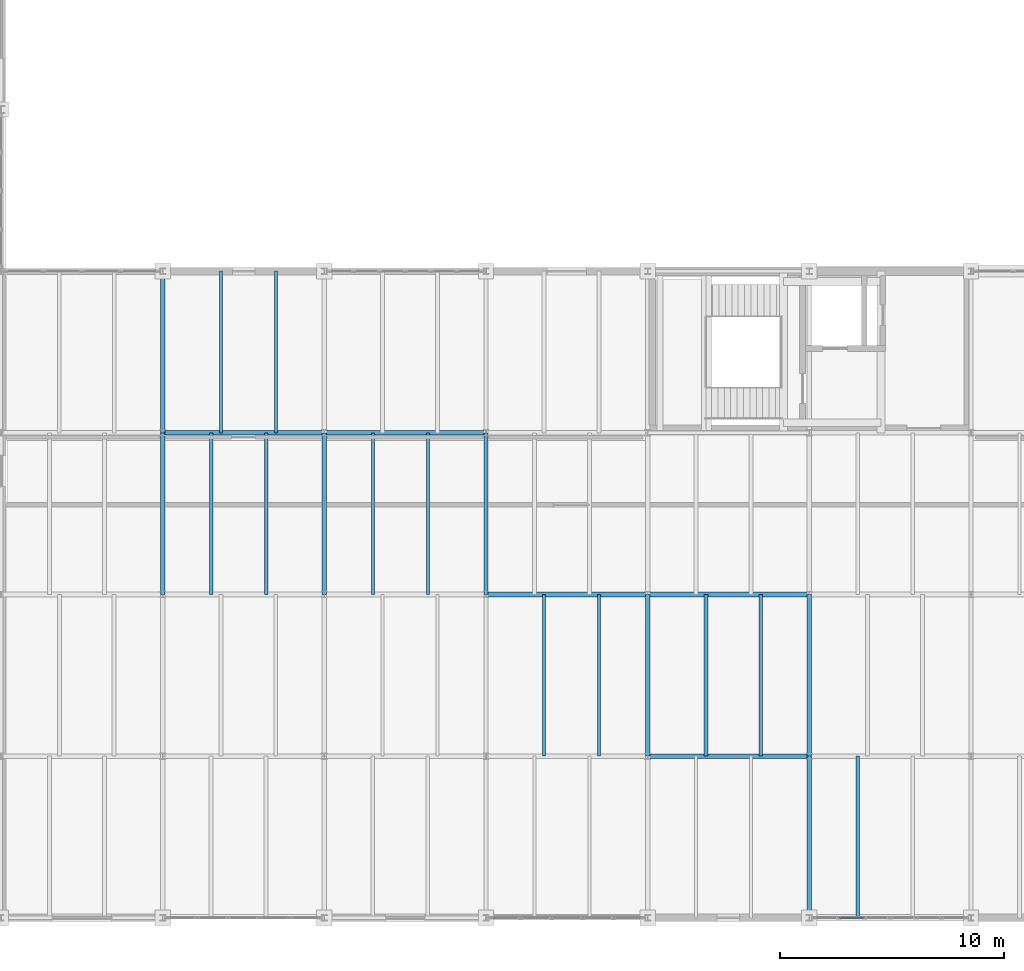
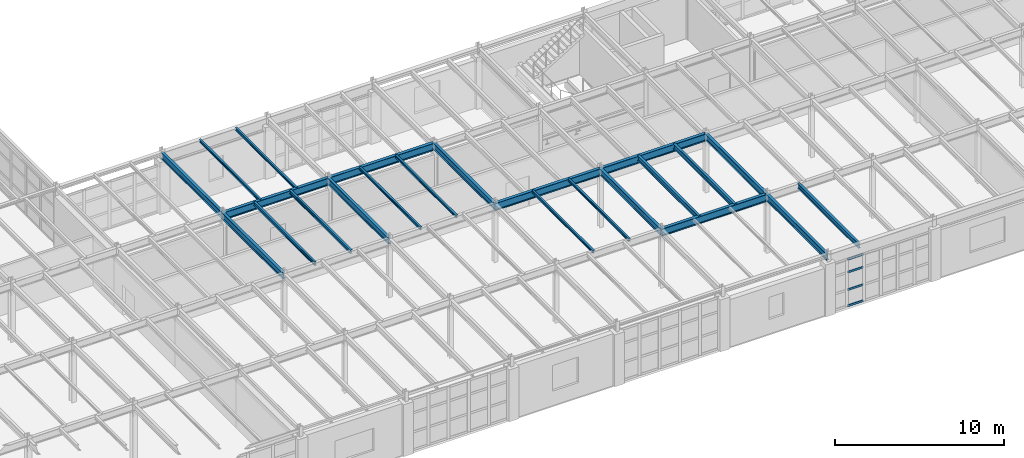
# One storey, part 43 of 137: 23 beams, 4 members, 1 element without a shape of its own.
"""IFC4 building model written with IfcOpenShell, lengths in metres."""

from ifc_helpers import new_model, si_unit, direction, frame, origin, origin_2d, place, context, subcontext, project, spatial, hollow_rectangle, i_section, extrude, material, layer, layer_set, material_profile, profile_set, type_object, element, aggregate, save


model = new_model("IFC4")

# Units and contexts
model_context = context("Model", 3, precision=1e-05, world=origin(), true_north=direction((0.0, 1.0)))
body_context = subcontext(model_context, "Body", "Model", "MODEL_VIEW")
ifc_project = project(units=[si_unit("LENGTHUNIT", "METRE"), si_unit("AREAUNIT", "SQUARE_METRE"), si_unit("VOLUMEUNIT", "CUBIC_METRE"), si_unit("PLANEANGLEUNIT", "RADIAN"), si_unit("MASSUNIT", "GRAM", prefix="KILO")], contexts=[model_context])

# Site, building, storey
site_placement = place(None, origin())
site = spatial("IfcSite", under=ifc_project, at=site_placement, CompositionType="ELEMENT")
building_placement = place(site_placement, origin())
building = spatial("IfcBuilding", under=site, at=building_placement, Name="Kemerveld Promenade Tramway Depot", CompositionType="ELEMENT")
storey_placement = place(building_placement, frame((0.0, 0.0, 5.39990234375)))
storey = spatial("IfcBuildingStorey", under=building, at=storey_placement, Name="L01", CompositionType="ELEMENT", Elevation=5.39990234375)

# Beams
ifc_material_1 = material(Name="Steel S355", Category="steel")
ifc_material_profile_1 = material_profile(ifc_material_1, i_section(OverallWidth=0.2099609375, OverallDepth=0.53662109375, WebThickness=0.0107421875, FlangeThickness=0.017333984375, FilletRadius=0.0126953125, at=origin_2d()), Name="533x210x101 UB")
ifc_profile_set_1 = profile_set([ifc_material_profile_1], Name="Steel S355")
beam_type_1 = type_object("IfcBeamType", Name="BM-G05", PredefinedType="BEAM", material=ifc_profile_set_1)
beam_1_placement = place(storey_placement, frame((86.39990234375, 7.199951171875, 3.981689453125), z_axis=(1.0, 0.0, 0.0), x_axis=(0.0, 1.0, 0.0)))
element("IfcBeam", 1, at=beam_1_placement, inside=storey, type_object=beam_type_1, Name="BMX-L01-13-14-B", PredefinedType="BEAM", context=body_context, shape_type="SweptSolid", body=[
    extrude(i_section(OverallWidth=0.2099609375, OverallDepth=0.53662109375, WebThickness=0.0107421875, FlangeThickness=0.017333984375, FilletRadius=0.0126953125, at=origin_2d()), origin(), (0.0, 0.0, 1.0), 7.2001953125),
])
beam_2_placement = place(storey_placement, frame((79.199951171875, 14.39990234375, 3.981689453125), z_axis=(1.0, 0.0, 0.0), x_axis=(0.0, 1.0, 0.0)))
element("IfcBeam", 2, at=beam_2_placement, inside=storey, type_object=beam_type_1, Name="BMX-L01-12-13-C", PredefinedType="BEAM", context=body_context, shape_type="SweptSolid", body=[
    extrude(i_section(OverallWidth=0.2099609375, OverallDepth=0.53662109375, WebThickness=0.0107421875, FlangeThickness=0.017333984375, FilletRadius=0.0126953125, at=origin_2d()), origin(), (0.0, 0.0, 1.0), 7.199951171875),
])
beam_3_placement = place(storey_placement, frame((86.39990234375, 14.39990234375, 3.981689453125), z_axis=(1.0, 0.0, 0.0), x_axis=(0.0, 1.0, 0.0)))
element("IfcBeam", 3, at=beam_3_placement, inside=storey, type_object=beam_type_1, Name="BMX-L01-13-14-C", PredefinedType="BEAM", context=body_context, shape_type="SweptSolid", body=[
    extrude(i_section(OverallWidth=0.2099609375, OverallDepth=0.53662109375, WebThickness=0.0107421875, FlangeThickness=0.017333984375, FilletRadius=0.0126953125, at=origin_2d()), origin(), (0.0, 0.0, 1.0), 7.2001953125),
])
for number, where, z_axis, x_axis, name in (
    (4, (64.800048828125, 21.60009765625, 3.981689453125), (1.0, 0.0, 0.0), (0.0, 1.0, 0.0), "BMX-L01-10-11-D"),
    (5, (72.0, 21.60009765625, 3.981689453125), (1.0, 0.0, 0.0), (0.0, 1.0, 0.0), "BMX-L01-11-12-D"),
):
    element("IfcBeam", number, at=place(storey_placement, frame(where, z_axis=z_axis, x_axis=x_axis)), inside=storey, type_object=beam_type_1, Name=name, PredefinedType="BEAM", context=body_context, shape_type="SweptSolid", body=[
        extrude(i_section(OverallWidth=0.2099609375, OverallDepth=0.53662109375, WebThickness=0.0107421875, FlangeThickness=0.017333984375, FilletRadius=0.0126953125, at=origin_2d()), origin(), (0.0, 0.0, 1.0), 7.199951171875),
    ])
ifc_material_profile_2 = material_profile(ifc_material_1, i_section(OverallWidth=0.19140625, OverallDepth=0.4599609375, WebThickness=0.010009765625, FlangeThickness=0.01611328125, FilletRadius=0.01025390625, at=origin_2d()), Name="457x191x82 UB")
ifc_profile_set_2 = profile_set([ifc_material_profile_2], Name="Steel S355")
beam_type_2 = type_object("IfcBeamType", Name="BM-G06", PredefinedType="BEAM", material=ifc_profile_set_2)
beam_4_placement = place(storey_placement, frame((64.800048828125, 14.39990234375, 4.02001953125), z_axis=(0.0, 1.0, 0.0), x_axis=(-1.0, 0.0, 0.0)))
element("IfcBeam", 6, at=beam_4_placement, inside=storey, type_object=beam_type_2, Name="BMY-L01-10-C-D", PredefinedType="BEAM", context=body_context, shape_type="SweptSolid", body=[
    extrude(i_section(OverallWidth=0.19140625, OverallDepth=0.4599609375, WebThickness=0.010009765625, FlangeThickness=0.01611328125, FilletRadius=0.01025390625, at=origin_2d()), origin(), (0.0, 0.0, 1.0), 7.2001953125),
])
beam_5_placement = place(storey_placement, frame((64.800048828125, 21.60009765625, 4.02001953125), z_axis=(0.0, 1.0, 0.0), x_axis=(-1.0, 0.0, 0.0)))
element("IfcBeam", 7, at=beam_5_placement, inside=storey, type_object=beam_type_2, Name="BMY-L01-10-D-E", PredefinedType="BEAM", context=body_context, shape_type="SweptSolid", body=[
    extrude(i_section(OverallWidth=0.19140625, OverallDepth=0.4599609375, WebThickness=0.010009765625, FlangeThickness=0.01611328125, FilletRadius=0.01025390625, at=origin_2d()), origin(), (0.0, 0.0, 1.0), 7.199951171875),
])
for number, where, z_axis, x_axis, name in (
    (8, (72.0, 14.39990234375, 4.02001953125), (0.0, 1.0, 0.0), (-1.0, 0.0, 0.0), "BMY-L01-11-C-D"),
    (9, (79.199951171875, 14.39990234375, 4.02001953125), (0.0, 1.0, 0.0), (-1.0, 0.0, 0.0), "BMY-L01-12-C-D"),
):
    element("IfcBeam", number, at=place(storey_placement, frame(where, z_axis=z_axis, x_axis=x_axis)), inside=storey, type_object=beam_type_2, Name=name, PredefinedType="BEAM", context=body_context, shape_type="SweptSolid", body=[
        extrude(i_section(OverallWidth=0.19140625, OverallDepth=0.4599609375, WebThickness=0.010009765625, FlangeThickness=0.01611328125, FilletRadius=0.01025390625, at=origin_2d()), origin(), (0.0, 0.0, 1.0), 7.2001953125),
    ])
for number, where, z_axis, x_axis, name in (
    (10, (86.39990234375, 7.199951171875, 4.02001953125), (0.0, 1.0, 0.0), (-1.0, 0.0, 0.0), "BMY-L01-13-B-C"),
    (11, (93.60009765625, 0.0, 4.02001953125), (0.0, 1.0, 0.0), (-1.0, 0.0, 0.0), "BMY-L01-14-A-B"),
    (12, (93.60009765625, 7.199951171875, 4.02001953125), (0.0, 1.0, 0.0), (-1.0, 0.0, 0.0), "BMY-L01-14-B-C"),
):
    element("IfcBeam", number, at=place(storey_placement, frame(where, z_axis=z_axis, x_axis=x_axis)), inside=storey, type_object=beam_type_2, Name=name, PredefinedType="BEAM", context=body_context, shape_type="SweptSolid", body=[
        extrude(i_section(OverallWidth=0.19140625, OverallDepth=0.4599609375, WebThickness=0.010009765625, FlangeThickness=0.01611328125, FilletRadius=0.01025390625, at=origin_2d()), origin(), (0.0, 0.0, 1.0), 7.199951171875),
    ])
ifc_material_profile_3 = material_profile(ifc_material_1, i_section(OverallWidth=0.146484375, OverallDepth=0.256103515625, WebThickness=0.00634765625, FlangeThickness=0.010986328125, FilletRadius=0.007568359375, at=origin_2d()), Name="254x146x37 UB")
ifc_profile_set_3 = profile_set([ifc_material_profile_3], Name="Steel S355")
beam_type_3 = type_object("IfcBeamType", Name="BM-J02", PredefinedType="JOIST", material=ifc_profile_set_3)
for number, where, z_axis, x_axis, name in (
    (13, (66.9599609375, 14.39990234375, 4.1220703125), (0.0, 1.0, 0.0), (-1.0, 0.0, 0.0), "JST-L01-10-C-1"),
    (14, (69.407958984375, 14.39990234375, 4.1220703125), (0.0, 1.0, 0.0), (-1.0, 0.0, 0.0), "JST-L01-10-C-2"),
):
    element("IfcBeam", number, at=place(storey_placement, frame(where, z_axis=z_axis, x_axis=x_axis)), inside=storey, type_object=beam_type_3, Name=name, PredefinedType="JOIST", context=body_context, shape_type="SweptSolid", body=[
        extrude(i_section(OverallWidth=0.146484375, OverallDepth=0.256103515625, WebThickness=0.00634765625, FlangeThickness=0.010986328125, FilletRadius=0.007568359375, at=origin_2d()), origin(), (0.0, 0.0, 1.0), 7.2001953125),
    ])
ifc_material_profile_4 = material_profile(ifc_material_1, i_section(OverallWidth=0.13330078125, OverallDepth=0.203125, WebThickness=0.005615234375, FlangeThickness=0.0078125, FilletRadius=0.007568359375, at=origin_2d()), Name="203x133x25 UB")
ifc_profile_set_4 = profile_set([ifc_material_profile_4], Name="Steel S355")
beam_type_4 = type_object("IfcBeamType", Name="BM-J03", PredefinedType="JOIST", material=ifc_profile_set_4)
for number, where, z_axis, x_axis, name in (
    (15, (67.39208984375, 21.60009765625, 4.1484375), (0.0, 1.0, 0.0), (-1.0, 0.0, 0.0), "JST-L01-10-D-1"),
    (16, (69.840087890625, 21.60009765625, 4.1484375), (0.0, 1.0, 0.0), (-1.0, 0.0, 0.0), "JST-L01-10-D-2"),
):
    element("IfcBeam", number, at=place(storey_placement, frame(where, z_axis=z_axis, x_axis=x_axis)), inside=storey, type_object=beam_type_4, Name=name, PredefinedType="JOIST", context=body_context, shape_type="SweptSolid", body=[
        extrude(i_section(OverallWidth=0.13330078125, OverallDepth=0.203125, WebThickness=0.005615234375, FlangeThickness=0.0078125, FilletRadius=0.007568359375, at=origin_2d()), origin(), (0.0, 0.0, 1.0), 7.199951171875),
    ])
for number, where, z_axis, x_axis, name in (
    (17, (74.159912109375, 14.39990234375, 4.1484375), (0.0, 1.0, 0.0), (-1.0, 0.0, 0.0), "JST-L01-11-C-1"),
    (18, (76.60791015625, 14.39990234375, 4.1484375), (0.0, 1.0, 0.0), (-1.0, 0.0, 0.0), "JST-L01-11-C-2"),
):
    element("IfcBeam", number, at=place(storey_placement, frame(where, z_axis=z_axis, x_axis=x_axis)), inside=storey, type_object=beam_type_4, Name=name, PredefinedType="JOIST", context=body_context, shape_type="SweptSolid", body=[
        extrude(i_section(OverallWidth=0.13330078125, OverallDepth=0.203125, WebThickness=0.005615234375, FlangeThickness=0.0078125, FilletRadius=0.007568359375, at=origin_2d()), origin(), (0.0, 0.0, 1.0), 7.2001953125),
    ])
for number, where, z_axis, x_axis, name in (
    (19, (81.7919921875, 7.199951171875, 4.1484375), (0.0, 1.0, 0.0), (-1.0, 0.0, 0.0), "JST-L01-12-B-1"),
    (20, (84.239990234375, 7.199951171875, 4.1484375), (0.0, 1.0, 0.0), (-1.0, 0.0, 0.0), "JST-L01-12-B-2"),
):
    element("IfcBeam", number, at=place(storey_placement, frame(where, z_axis=z_axis, x_axis=x_axis)), inside=storey, type_object=beam_type_4, Name=name, PredefinedType="JOIST", context=body_context, shape_type="SweptSolid", body=[
        extrude(i_section(OverallWidth=0.13330078125, OverallDepth=0.203125, WebThickness=0.005615234375, FlangeThickness=0.0078125, FilletRadius=0.007568359375, at=origin_2d()), origin(), (0.0, 0.0, 1.0), 7.199951171875),
    ])
ifc_material_profile_5 = material_profile(ifc_material_1, i_section(OverallWidth=0.172119140625, OverallDepth=0.35791015625, WebThickness=0.008056640625, FlangeThickness=0.012939453125, FilletRadius=0.01025390625, at=origin_2d()), Name="356x171x57 UB")
ifc_profile_set_5 = profile_set([ifc_material_profile_5], Name="Steel S355")
beam_type_5 = type_object("IfcBeamType", Name="BM-J04", PredefinedType="JOIST", material=ifc_profile_set_5)
for number, where, z_axis, x_axis, name in (
    (21, (88.991943359375, 7.199951171875, 4.071044921875), (0.0, 1.0, 0.0), (-1.0, 0.0, 0.0), "JST-L01-13-B-1"),
    (22, (91.43994140625, 7.199951171875, 4.071044921875), (0.0, 1.0, 0.0), (-1.0, 0.0, 0.0), "JST-L01-13-B-2"),
    (23, (95.760009765625, 0.0, 4.071044921875), (0.0, 1.0, 0.0), (-1.0, 0.0, 0.0), "JST-L01-14-A-1"),
):
    element("IfcBeam", number, at=place(storey_placement, frame(where, z_axis=z_axis, x_axis=x_axis)), inside=storey, type_object=beam_type_5, Name=name, PredefinedType="JOIST", context=body_context, shape_type="SweptSolid", body=[
        extrude(i_section(OverallWidth=0.172119140625, OverallDepth=0.35791015625, WebThickness=0.008056640625, FlangeThickness=0.012939453125, FilletRadius=0.01025390625, at=origin_2d()), origin(), (0.0, 0.0, 1.0), 7.199951171875),
    ])

# Curtain wall, members
ifc_material_2 = material(Name="Bronze anodised aluminium and solar glass", Category="aluminium")
ifc_layer = layer(ifc_material_2, 0.199951171875)
ifc_layer_set = layer_set([ifc_layer], Name="CW-SYS-12")
curtain_wall_type = type_object("IfcCurtainWallType", Name="CW-SYS-12", PredefinedType="USERDEFINED", material=ifc_layer_set)
curtain_wall_placement = place(storey_placement, origin())
curtain_wall = element("IfcCurtainWall", 24, at=curtain_wall_placement, inside=storey, type_object=curtain_wall_type, Name="CW-L01-V4S-09", ObjectType="GLAZED_CURTAIN_WALL", PredefinedType="USERDEFINED")
ifc_material_3 = material(Name="Bronze anodised aluminium", Category="aluminium")
ifc_material_profile_6 = material_profile(ifc_material_3, hollow_rectangle(XDim=0.06494140625, YDim=0.14990234375, WallThickness=0.00439453125, InnerFilletRadius=0.001953125, OuterFilletRadius=0.00439453125, at=origin_2d()), Name="CW-TRN-150x65")
ifc_profile_set_6 = profile_set([ifc_material_profile_6], Name="Bronze anodised aluminium")
member_type = type_object("IfcMemberType", Name="CW-TRN-B", PredefinedType="USERDEFINED", material=ifc_profile_set_6)
member_1_placement = place(storey_placement, frame((96.012451171875, 0.0, 0.03271484375), z_axis=(-1.0, 0.0, 0.0), x_axis=(0.0, -1.0, 0.0)))
member_1 = element("IfcMember", 25, at=member_1_placement, type_object=member_type, Name="CW12 transom 5.1", ObjectType="TRANSOM", PredefinedType="USERDEFINED", context=body_context, shape_type="SweptSolid", body=[
    extrude(hollow_rectangle(XDim=0.06494140625, YDim=0.14990234375, WallThickness=0.00439453125, InnerFilletRadius=0.001953125, OuterFilletRadius=0.00439453125, at=origin_2d()), origin(), (0.0, 0.0, 1.0), 1.074951171875),
])
member_2_placement = place(storey_placement, frame((96.012451171875, 0.0, 1.195068359375), z_axis=(-1.0, 0.0, 0.0), x_axis=(0.0, -1.0, 0.0)))
member_2 = element("IfcMember", 26, at=member_2_placement, type_object=member_type, Name="CW12 transom 5.2", ObjectType="TRANSOM", PredefinedType="USERDEFINED", context=body_context, shape_type="SweptSolid", body=[
    extrude(hollow_rectangle(XDim=0.06494140625, YDim=0.14990234375, WallThickness=0.00439453125, InnerFilletRadius=0.001953125, OuterFilletRadius=0.00439453125, at=origin_2d()), origin(), (0.0, 0.0, 1.0), 1.074951171875),
])
member_3_placement = place(storey_placement, frame((96.012451171875, 0.0, 2.4580078125), z_axis=(-1.0, 0.0, 0.0), x_axis=(0.0, -1.0, 0.0)))
member_3 = element("IfcMember", 27, at=member_3_placement, type_object=member_type, Name="CW12 transom 5.3", ObjectType="TRANSOM", PredefinedType="USERDEFINED", context=body_context, shape_type="SweptSolid", body=[
    extrude(hollow_rectangle(XDim=0.06494140625, YDim=0.14990234375, WallThickness=0.00439453125, InnerFilletRadius=0.001953125, OuterFilletRadius=0.00439453125, at=origin_2d()), origin(), (0.0, 0.0, 1.0), 1.074951171875),
])
member_4_placement = place(storey_placement, frame((96.012451171875, 0.0, 3.3818359375), z_axis=(-1.0, 0.0, 0.0), x_axis=(0.0, -1.0, 0.0)))
member_4 = element("IfcMember", 28, at=member_4_placement, type_object=member_type, Name="CW12 transom 5.4", ObjectType="TRANSOM", PredefinedType="USERDEFINED", context=body_context, shape_type="SweptSolid", body=[
    extrude(hollow_rectangle(XDim=0.06494140625, YDim=0.14990234375, WallThickness=0.00439453125, InnerFilletRadius=0.001953125, OuterFilletRadius=0.00439453125, at=origin_2d()), origin(), (0.0, 0.0, 1.0), 1.074951171875),
])
aggregate(curtain_wall, [member_1, member_2, member_3, member_4])

save(model, "model.ifc")
